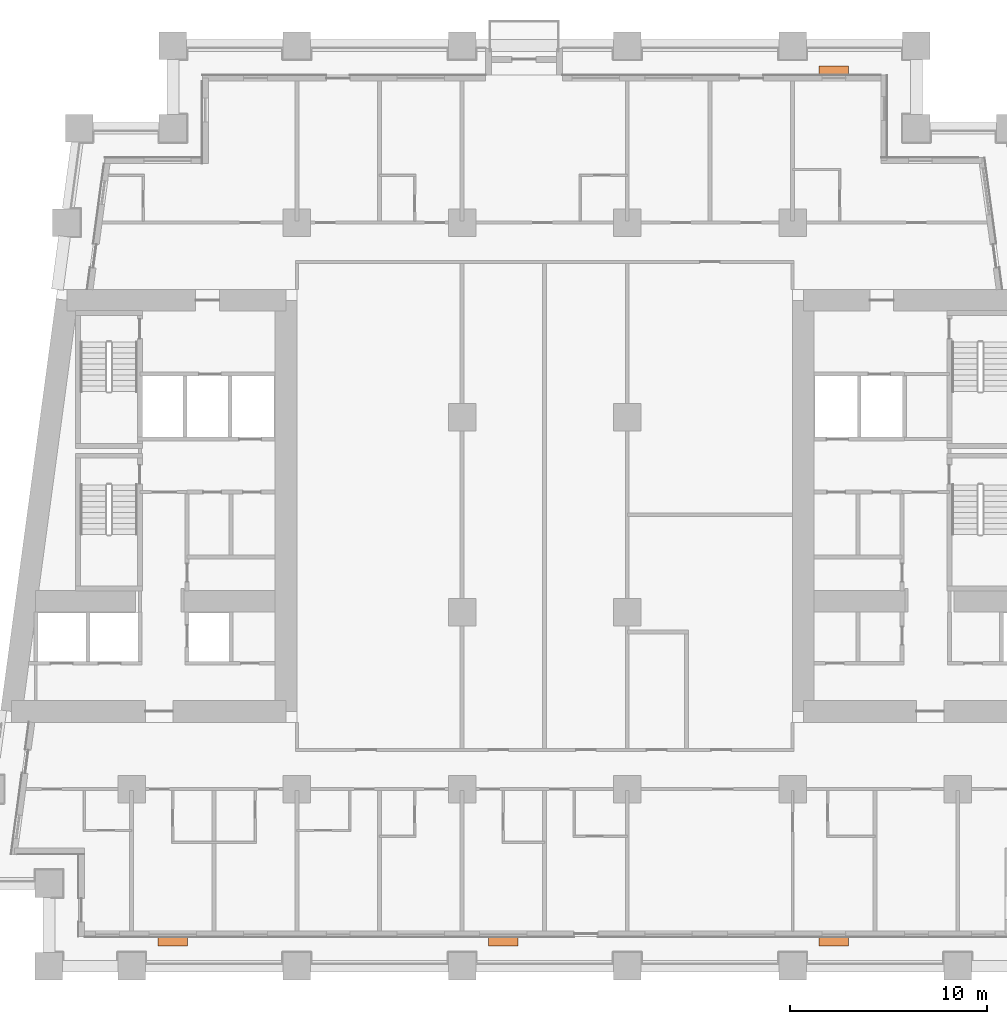
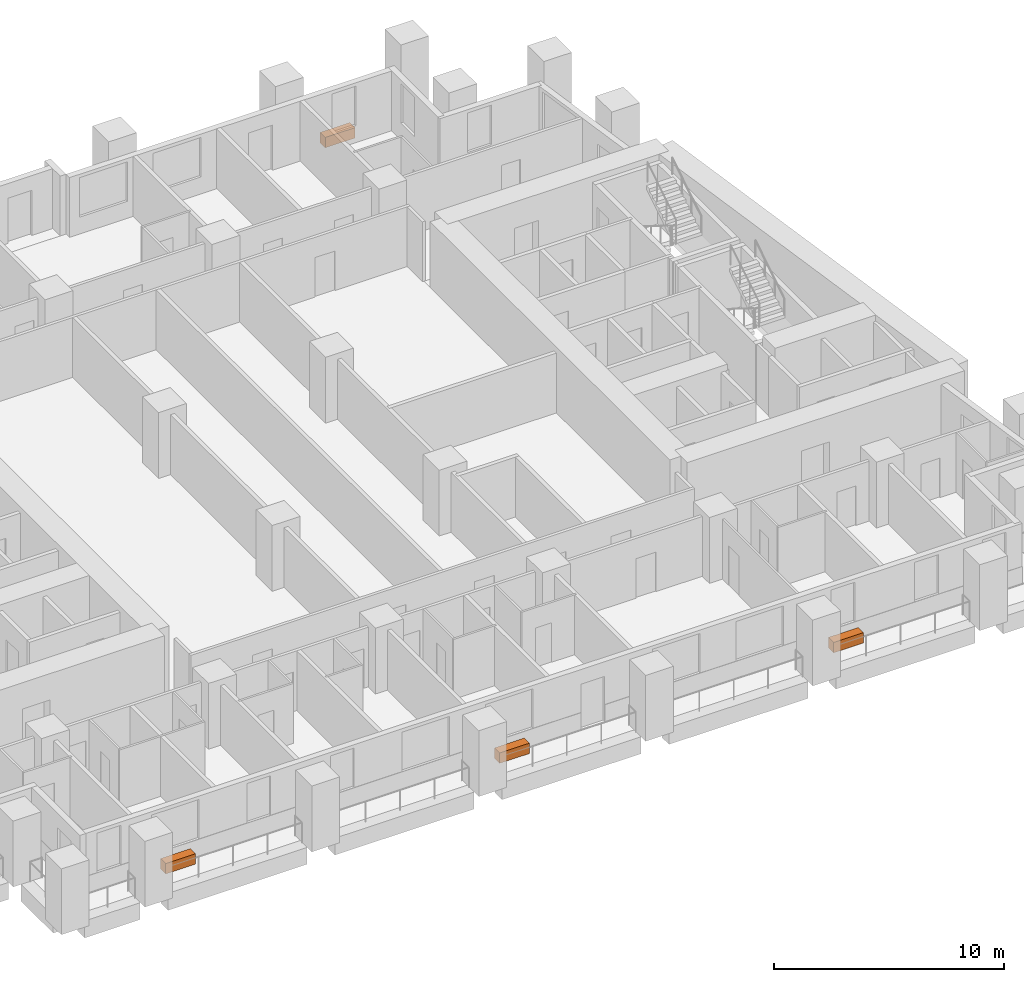
# One storey, part 13 of 13: 4 proxies.
"""IFC4 building model written with IfcOpenShell, lengths in metres."""

from ifc_helpers import new_model, si_unit, direction, frame, origin, origin_2d, place, context, subcontext, project, spatial, rectangle, extrude, element, save


model = new_model("IFC4")

# Units and contexts
model_context = context("Model", 3, precision=1e-05, world=origin(), true_north=direction((0.0, 1.0)))
body_context = subcontext(model_context, "Body", "Model", "MODEL_VIEW")
ifc_project = project(units=[si_unit("LENGTHUNIT", "METRE"), si_unit("AREAUNIT", "SQUARE_METRE"), si_unit("VOLUMEUNIT", "CUBIC_METRE"), si_unit("PLANEANGLEUNIT", "RADIAN"), si_unit("MASSUNIT", "GRAM", prefix="KILO")], contexts=[model_context])

# Site, building, storey
site_placement = place(None, origin())
site = spatial("IfcSite", under=ifc_project, at=site_placement, CompositionType="ELEMENT")
building_placement = place(site_placement, origin())
building = spatial("IfcBuilding", under=site, at=building_placement, Name="Candeia Pilgrim Tower and Theatre", CompositionType="ELEMENT")
storey_placement = place(building_placement, frame((0.0, 0.0, 67.0)))
storey = spatial("IfcBuildingStorey", under=building, at=storey_placement, Name="L14", CompositionType="ELEMENT", Elevation=67.0)

# Proxies
for number, where, z_axis, x_axis, name in (
    (1, (94.5, 99.2548828125, 0.0), (0.0, 0.0, 1.0), (1.0, 0.0, 0.0), "Planter"),
    (2, (111.300048828125, 99.2548828125, 0.0), (0.0, 0.0, 1.0), (1.0, 0.0, 0.0), "Planter"),
    (3, (128.10009765625, 99.2548828125, 0.0), (0.0, 0.0, 1.0), (1.0, 0.0, 0.0), "Planter"),
    (4, (128.10009765625, 143.544921875, 0.0), (0.0, 0.0, 1.0), (-1.0, 0.0, 0.0), "Planter"),
):
    element("IfcBuildingElementProxy", number, at=place(storey_placement, frame(where, z_axis=z_axis, x_axis=x_axis)), inside=storey, Name=name, ObjectType="PLANTER", PredefinedType="USERDEFINED", context=body_context, shape_type="SweptSolid", body=[
        extrude(rectangle(XDim=1.5, YDim=0.449951171875, at=origin_2d()), origin(), (0.0, 0.0, 1.0), 0.550048828125),
    ])

save(model, "model.ifc")
